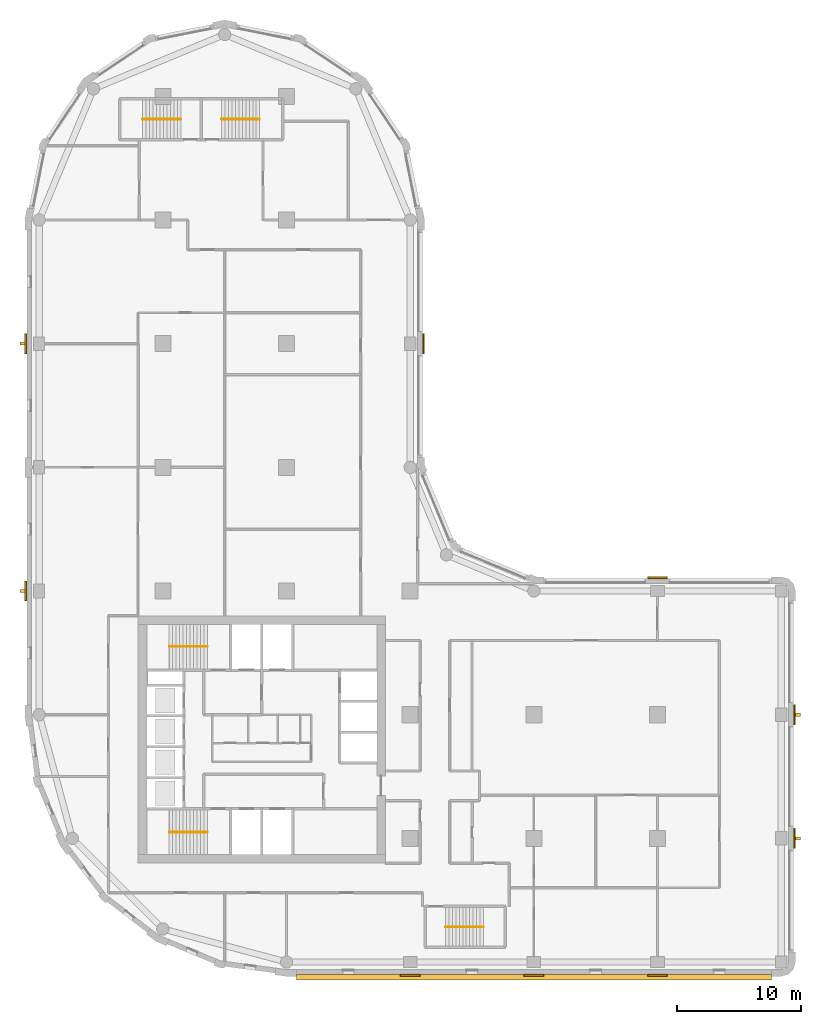
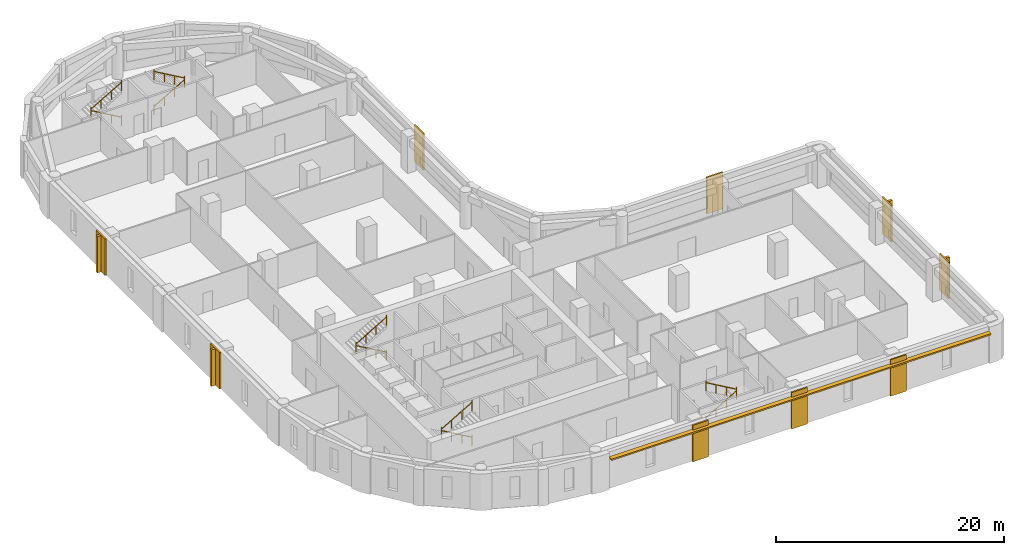
# One storey, part 9 of 10: 10 railings, 9 coverings, 5 shading devices.
"""IFC4 building model written with IfcOpenShell, lengths in metres."""

from ifc_helpers import new_model, si_unit, direction, frame, origin, origin_2d, place, context, subcontext, project, spatial, polyline, rectangle, circle, outline, extrude, material, layer, layer_set, type_object, element, save


model = new_model("IFC4")

# Units and contexts
model_context = context("Model", 3, precision=1e-05, world=origin(), true_north=direction((0.0, 1.0)))
body_context = subcontext(model_context, "Body", "Model", "MODEL_VIEW")
ifc_project = project(units=[si_unit("LENGTHUNIT", "METRE"), si_unit("AREAUNIT", "SQUARE_METRE"), si_unit("VOLUMEUNIT", "CUBIC_METRE"), si_unit("PLANEANGLEUNIT", "RADIAN"), si_unit("MASSUNIT", "GRAM", prefix="KILO")], contexts=[model_context])

# Site, building, storey
site_placement = place(None, origin())
site = spatial("IfcSite", under=ifc_project, at=site_placement, CompositionType="ELEMENT")
building_placement = place(site_placement, origin())
building = spatial("IfcBuilding", under=site, at=building_placement, Name="Qaws Garden Tower", CompositionType="ELEMENT")
storey_placement = place(building_placement, frame((0.0, 0.0, 209.699951171875)))
storey = spatial("IfcBuildingStorey", under=building, at=storey_placement, Name="L51", CompositionType="ELEMENT", Elevation=209.699951171875)

# Coverings
ifc_material_1 = material(Name="Clay facing brick masonry", Category="masonry")
ifc_layer_1 = layer(ifc_material_1, 0.14990234375)
ifc_layer_set_1 = layer_set([ifc_layer_1], Name="Clay facing brick masonry")
covering_type = type_object("IfcCoveringType", Name="Brick pilaster facing 150 x 1600", PredefinedType="CLADDING", material=ifc_layer_set_1)
placement = place(storey_placement, origin())
element("IfcCovering", 1, at=placement, inside=storey, type_object=covering_type, Name="E-L51-pier-01", PredefinedType="CLADDING", context=body_context, shape_type="SweptSolid", body=[
    extrude(outline(polyline([(29.199951171875, -1.0), (30.800048828125, -1.0), (30.800048828125, -1.14990234375), (29.199951171875, -1.14990234375), (29.199951171875, -1.0)])), origin(), (0.0, 0.0, 1.0), 3.900146484375),
])
element("IfcCovering", 2, at=placement, inside=storey, type_object=covering_type, Name="E-L51-pier-02", PredefinedType="CLADDING", context=body_context, shape_type="SweptSolid", body=[
    extrude(outline(polyline([(39.199951171875, -1.0), (40.800048828125, -1.0), (40.800048828125, -1.14990234375), (39.199951171875, -1.14990234375), (39.199951171875, -1.0)])), origin(), (0.0, 0.0, 1.0), 3.900146484375),
])
element("IfcCovering", 3, at=placement, inside=storey, type_object=covering_type, Name="E-L51-pier-03", PredefinedType="CLADDING", context=body_context, shape_type="SweptSolid", body=[
    extrude(outline(polyline([(49.199951171875, -1.0), (50.800048828125, -1.0), (50.800048828125, -1.14990234375), (49.199951171875, -1.14990234375), (49.199951171875, -1.0)])), origin(), (0.0, 0.0, 1.0), 3.900146484375),
])
element("IfcCovering", 4, at=placement, inside=storey, type_object=covering_type, Name="E-L51-pier-05", PredefinedType="CLADDING", context=body_context, shape_type="SweptSolid", body=[
    extrude(outline(polyline([(61.0, 9.199951171875), (61.0, 10.800048828125), (61.14990234375, 10.800048828125), (61.14990234375, 9.199951171875), (61.0, 9.199951171875)])), origin(), (0.0, 0.0, 1.0), 3.900146484375),
])
element("IfcCovering", 5, at=placement, inside=storey, type_object=covering_type, Name="E-L51-pier-06", PredefinedType="CLADDING", context=body_context, shape_type="SweptSolid", body=[
    extrude(outline(polyline([(61.0, 19.199951171875), (61.0, 20.800048828125), (61.14990234375, 20.800048828125), (61.14990234375, 19.199951171875), (61.0, 19.199951171875)])), origin(), (0.0, 0.0, 1.0), 3.900146484375),
])
element("IfcCovering", 6, at=placement, inside=storey, type_object=covering_type, Name="E-L51-pier-08", PredefinedType="CLADDING", context=body_context, shape_type="SweptSolid", body=[
    extrude(outline(polyline([(50.800048828125, 31.0), (49.199951171875, 31.0), (49.199951171875, 31.14990234375), (50.800048828125, 31.14990234375), (50.800048828125, 31.0)])), origin(), (0.0, 0.0, 1.0), 3.900146484375),
])
element("IfcCovering", 7, at=placement, inside=storey, type_object=covering_type, Name="E-L51-pier-12", PredefinedType="CLADDING", context=body_context, shape_type="SweptSolid", body=[
    extrude(outline(polyline([(31.0, 49.199951171875), (31.0, 50.800048828125), (31.14990234375, 50.800048828125), (31.14990234375, 49.199951171875), (31.0, 49.199951171875)])), origin(), (0.0, 0.0, 1.0), 3.900146484375),
])
element("IfcCovering", 8, at=placement, inside=storey, type_object=covering_type, Name="E-L51-pier-22", PredefinedType="CLADDING", context=body_context, shape_type="SweptSolid", body=[
    extrude(outline(polyline([(-1.0, 50.800048828125), (-1.0, 49.199951171875), (-1.14990234375, 49.199951171875), (-1.14990234375, 50.800048828125), (-1.0, 50.800048828125)])), origin(), (0.0, 0.0, 1.0), 3.900146484375),
])
element("IfcCovering", 9, at=placement, inside=storey, type_object=covering_type, Name="E-L51-pier-24", PredefinedType="CLADDING", context=body_context, shape_type="SweptSolid", body=[
    extrude(outline(polyline([(-1.0, 30.800048828125), (-1.0, 29.199951171875), (-1.14990234375, 29.199951171875), (-1.14990234375, 30.800048828125), (-1.0, 30.800048828125)])), origin(), (0.0, 0.0, 1.0), 3.900146484375),
])

# Shading devices
ifc_material_2 = material(Name="Clay facing brick masonry", Category="masonry")
ifc_layer_2 = layer(ifc_material_2, 0.14990234375)
ifc_layer_set_2 = layer_set([ifc_layer_2], Name="Clay facing brick masonry")
shading_device_type_1 = type_object("IfcShadingDeviceType", Name="Brick sunshade band 450 x 150", PredefinedType="JALOUSIE", material=ifc_layer_set_2)
shading_device_placement = place(storey_placement, frame((0.0, 0.0, 3.25)))
element("IfcShadingDevice", 10, at=shading_device_placement, inside=storey, type_object=shading_device_type_1, Name="SUNSHADE 00", PredefinedType="JALOUSIE", context=body_context, shape_type="SweptSolid", body=[
    extrude(outline(polyline([(20.800048828125, -1.0), (20.800048828125, -1.449951171875), (59.199951171875, -1.449951171875), (59.199951171875, -1.0), (50.800048828125, -1.0), (50.800048828125, -1.14990234375), (49.199951171875, -1.14990234375), (49.199951171875, -1.0), (40.800048828125, -1.0), (40.800048828125, -1.14990234375), (39.199951171875, -1.14990234375), (39.199951171875, -1.0), (30.800048828125, -1.0), (30.800048828125, -1.14990234375), (29.199951171875, -1.14990234375), (29.199951171875, -1.0), (20.800048828125, -1.0)])), origin(), (0.0, 0.0, 1.0), 0.150146484375),
])
ifc_material_3 = material(Name="Clay facing brick masonry", Category="masonry")
ifc_layer_3 = layer(ifc_material_3, 0.25)
ifc_layer_set_3 = layer_set([ifc_layer_3], Name="Clay facing brick masonry")
shading_device_type_2 = type_object("IfcShadingDeviceType", Name="Brick-faced fin 250 x 400", PredefinedType="USERDEFINED", material=ifc_layer_set_3)
for number, where, z_axis, x_axis, name in (
    (11, (61.35009765625, 10.0, 0.0), (0.0, 0.0, 1.0), (0.0, 1.0, 0.0), "FIN 05"),
    (12, (61.35009765625, 20.0, 0.0), (0.0, 0.0, 1.0), (0.0, 1.0, 0.0), "FIN 06"),
    (13, (-1.35009765625, 50.0, 0.0), (0.0, 0.0, 1.0), (0.0, -1.0, 0.0), "FIN 22"),
    (14, (-1.35009765625, 30.0, 0.0), (0.0, 0.0, 1.0), (0.0, -1.0, 0.0), "FIN 24"),
):
    element("IfcShadingDevice", number, at=place(storey_placement, frame(where, z_axis=z_axis, x_axis=x_axis)), inside=storey, type_object=shading_device_type_2, Name=name, ObjectType="FIN", PredefinedType="USERDEFINED", context=body_context, shape_type="SweptSolid", body=[
        extrude(rectangle(XDim=0.25, YDim=0.39990234375, at=origin_2d()), origin(), (0.0, 0.0, 1.0), 3.89990234375),
    ])

# Railings
ifc_material_4 = material(Name="Steel S355", Category="steel")
railing_type = type_object("IfcRailingType", Name="Stair handrail 900", PredefinedType="HANDRAIL", material=ifc_material_4)
railing_1_placement = place(storey_placement, frame((13.60009765625, 10.5, 0.16259765625)))
element("IfcRailing", 15, at=railing_1_placement, inside=storey, type_object=railing_type, Name="Stair 1 handrail", PredefinedType="HANDRAIL", context=body_context, shape_type="SweptSolid", body=[
    extrude(circle(Radius=0.02392578125, at=origin_2d()), frame((0.0, 0.0, 0.8759765625), z_axis=(-0.864920483161, 0.0, 0.501908913857), x_axis=(0.0, -1.0, 0.0)), (0.0, 0.0, 1.0), 3.56103515625),
    extrude(circle(Radius=0.02099609375, at=origin_2d()), origin(), (0.0, 0.0, 1.0), 1.06201171875),
    extrude(circle(Radius=0.02099609375, at=origin_2d()), frame((-1.026611328125, 0.0, 0.595703125)), (0.0, 0.0, 1.0), 0.851806640625),
    extrude(circle(Radius=0.02099609375, at=origin_2d()), frame((-2.053466796875, 0.0, 1.191650390625)), (0.0, 0.0, 1.0), 0.851806640625),
    extrude(circle(Radius=0.02099609375, at=origin_2d()), frame((-3.080078125, 0.0, 1.787353515625)), (0.0, 0.0, 1.0), 1.06201171875),
])
railing_2_placement = place(storey_placement, frame((10.52001953125, 10.5, 2.112548828125)))
element("IfcRailing", 16, at=railing_2_placement, inside=storey, type_object=railing_type, Name="Stair 1 handrail", PredefinedType="HANDRAIL", context=body_context, shape_type="SweptSolid", body=[
    extrude(circle(Radius=0.02392578125, at=origin_2d()), frame((0.0, 0.0, 0.8759765625), z_axis=(0.864890721111, 0.0, 0.501960198159), x_axis=(0.0, 1.0, 0.0)), (0.0, 0.0, 1.0), 3.561279296875),
    extrude(circle(Radius=0.02099609375, at=origin_2d()), origin(), (0.0, 0.0, 1.0), 1.06201171875),
    extrude(circle(Radius=0.02099609375, at=origin_2d()), frame((1.026611328125, 0.0, 0.595947265625)), (0.0, 0.0, 1.0), 0.851806640625),
    extrude(circle(Radius=0.02099609375, at=origin_2d()), frame((2.053466796875, 0.0, 1.191650390625)), (0.0, 0.0, 1.0), 0.851806640625),
    extrude(circle(Radius=0.02099609375, at=origin_2d()), frame((3.080078125, 0.0, 1.78759765625)), (0.0, 0.0, 1.0), 1.06201171875),
])
railing_3_placement = place(storey_placement, frame((13.60009765625, 25.5, 0.16259765625)))
element("IfcRailing", 17, at=railing_3_placement, inside=storey, type_object=railing_type, Name="Stair 4 handrail", PredefinedType="HANDRAIL", context=body_context, shape_type="SweptSolid", body=[
    extrude(circle(Radius=0.02392578125, at=origin_2d()), frame((0.0, 0.0, 0.8759765625), z_axis=(-0.864920483161, 0.0, 0.501908913857), x_axis=(0.0, -1.0, 0.0)), (0.0, 0.0, 1.0), 3.56103515625),
    extrude(circle(Radius=0.02099609375, at=origin_2d()), origin(), (0.0, 0.0, 1.0), 1.06201171875),
    extrude(circle(Radius=0.02099609375, at=origin_2d()), frame((-1.026611328125, 0.0, 0.595703125)), (0.0, 0.0, 1.0), 0.851806640625),
    extrude(circle(Radius=0.02099609375, at=origin_2d()), frame((-2.053466796875, 0.0, 1.191650390625)), (0.0, 0.0, 1.0), 0.851806640625),
    extrude(circle(Radius=0.02099609375, at=origin_2d()), frame((-3.080078125, 0.0, 1.787353515625)), (0.0, 0.0, 1.0), 1.06201171875),
])
railing_4_placement = place(storey_placement, frame((10.52001953125, 25.5, 2.112548828125)))
element("IfcRailing", 18, at=railing_4_placement, inside=storey, type_object=railing_type, Name="Stair 4 handrail", PredefinedType="HANDRAIL", context=body_context, shape_type="SweptSolid", body=[
    extrude(circle(Radius=0.02392578125, at=origin_2d()), frame((0.0, 0.0, 0.8759765625), z_axis=(0.864890721111, 0.0, 0.501960198159), x_axis=(0.0, 1.0, 0.0)), (0.0, 0.0, 1.0), 3.561279296875),
    extrude(circle(Radius=0.02099609375, at=origin_2d()), origin(), (0.0, 0.0, 1.0), 1.06201171875),
    extrude(circle(Radius=0.02099609375, at=origin_2d()), frame((1.026611328125, 0.0, 0.595947265625)), (0.0, 0.0, 1.0), 0.851806640625),
    extrude(circle(Radius=0.02099609375, at=origin_2d()), frame((2.053466796875, 0.0, 1.191650390625)), (0.0, 0.0, 1.0), 0.851806640625),
    extrude(circle(Radius=0.02099609375, at=origin_2d()), frame((3.080078125, 0.0, 1.78759765625)), (0.0, 0.0, 1.0), 1.06201171875),
])
railing_5_placement = place(storey_placement, frame((32.85009765625, 2.85009765625, 0.16259765625)))
element("IfcRailing", 19, at=railing_5_placement, inside=storey, type_object=railing_type, Name="Stair 5 handrail", PredefinedType="HANDRAIL", context=body_context, shape_type="SweptSolid", body=[
    extrude(circle(Radius=0.02392578125, at=origin_2d()), frame((0.0, 0.0, 0.8759765625), z_axis=(0.864903211148, 0.0, 0.501938676878), x_axis=(0.0, 1.0, 0.0)), (0.0, 0.0, 1.0), 3.560791015625),
    extrude(circle(Radius=0.02099609375, at=origin_2d()), origin(), (0.0, 0.0, 1.0), 1.06201171875),
    extrude(circle(Radius=0.02099609375, at=origin_2d()), frame((1.026611328125, 0.0, 0.595703125)), (0.0, 0.0, 1.0), 0.851806640625),
    extrude(circle(Radius=0.02099609375, at=origin_2d()), frame((2.05322265625, 0.0, 1.191650390625)), (0.0, 0.0, 1.0), 0.851806640625),
    extrude(circle(Radius=0.02099609375, at=origin_2d()), frame((3.079833984375, 0.0, 1.787353515625)), (0.0, 0.0, 1.0), 1.06201171875),
])
railing_6_placement = place(storey_placement, frame((35.929931640625, 2.85009765625, 2.112548828125)))
element("IfcRailing", 20, at=railing_6_placement, inside=storey, type_object=railing_type, Name="Stair 5 handrail", PredefinedType="HANDRAIL", context=body_context, shape_type="SweptSolid", body=[
    extrude(circle(Radius=0.02392578125, at=origin_2d()), frame((0.0, 0.0, 0.8759765625), z_axis=(-0.864873446163, 0.0, 0.501989962173), x_axis=(0.0, -1.0, 0.0)), (0.0, 0.0, 1.0), 3.56103515625),
    extrude(circle(Radius=0.02099609375, at=origin_2d()), origin(), (0.0, 0.0, 1.0), 1.06201171875),
    extrude(circle(Radius=0.02099609375, at=origin_2d()), frame((-1.026611328125, 0.0, 0.595947265625)), (0.0, 0.0, 1.0), 0.851806640625),
    extrude(circle(Radius=0.02099609375, at=origin_2d()), frame((-2.05322265625, 0.0, 1.191650390625)), (0.0, 0.0, 1.0), 0.851806640625),
    extrude(circle(Radius=0.02099609375, at=origin_2d()), frame((-3.079833984375, 0.0, 1.78759765625)), (0.0, 0.0, 1.0), 1.06201171875),
])
railing_7_placement = place(storey_placement, frame((11.449951171875, 68.14990234375, 0.16259765625)))
element("IfcRailing", 21, at=railing_7_placement, inside=storey, type_object=railing_type, Name="Stair 6 handrail", PredefinedType="HANDRAIL", context=body_context, shape_type="SweptSolid", body=[
    extrude(circle(Radius=0.02392578125, at=origin_2d()), frame((0.0, 0.0, 0.8759765625), z_axis=(-0.864903211148, 0.0, 0.501938676878), x_axis=(0.0, -1.0, 0.0)), (0.0, 0.0, 1.0), 3.560791015625),
    extrude(circle(Radius=0.02099609375, at=origin_2d()), origin(), (0.0, 0.0, 1.0), 1.06201171875),
    extrude(circle(Radius=0.02099609375, at=origin_2d()), frame((-1.026611328125, 0.0, 0.595703125)), (0.0, 0.0, 1.0), 0.851806640625),
    extrude(circle(Radius=0.02099609375, at=origin_2d()), frame((-2.05322265625, 0.0, 1.191650390625)), (0.0, 0.0, 1.0), 0.851806640625),
    extrude(circle(Radius=0.02099609375, at=origin_2d()), frame((-3.079833984375, 0.0, 1.787353515625)), (0.0, 0.0, 1.0), 1.06201171875),
])
railing_8_placement = place(storey_placement, frame((8.3701171875, 68.14990234375, 2.112548828125)))
element("IfcRailing", 22, at=railing_8_placement, inside=storey, type_object=railing_type, Name="Stair 6 handrail", PredefinedType="HANDRAIL", context=body_context, shape_type="SweptSolid", body=[
    extrude(circle(Radius=0.02392578125, at=origin_2d()), frame((0.0, 0.0, 0.8759765625), z_axis=(0.864873446163, 0.0, 0.501989962173), x_axis=(0.0, 1.0, 0.0)), (0.0, 0.0, 1.0), 3.56103515625),
    extrude(circle(Radius=0.02099609375, at=origin_2d()), origin(), (0.0, 0.0, 1.0), 1.06201171875),
    extrude(circle(Radius=0.02099609375, at=origin_2d()), frame((1.026611328125, 0.0, 0.595947265625)), (0.0, 0.0, 1.0), 0.851806640625),
    extrude(circle(Radius=0.02099609375, at=origin_2d()), frame((2.05322265625, 0.0, 1.191650390625)), (0.0, 0.0, 1.0), 0.851806640625),
    extrude(circle(Radius=0.02099609375, at=origin_2d()), frame((3.079833984375, 0.0, 1.78759765625)), (0.0, 0.0, 1.0), 1.06201171875),
])
railing_9_placement = place(storey_placement, frame((14.75, 68.14990234375, 0.16259765625)))
element("IfcRailing", 23, at=railing_9_placement, inside=storey, type_object=railing_type, Name="Stair 7 handrail", PredefinedType="HANDRAIL", context=body_context, shape_type="SweptSolid", body=[
    extrude(circle(Radius=0.02392578125, at=origin_2d()), frame((0.0, 0.0, 0.8759765625), z_axis=(0.864920483161, 0.0, 0.501908913857), x_axis=(0.0, 1.0, 0.0)), (0.0, 0.0, 1.0), 3.56103515625),
    extrude(circle(Radius=0.02099609375, at=origin_2d()), origin(), (0.0, 0.0, 1.0), 1.06201171875),
    extrude(circle(Radius=0.02099609375, at=origin_2d()), frame((1.026611328125, 0.0, 0.595703125)), (0.0, 0.0, 1.0), 0.851806640625),
    extrude(circle(Radius=0.02099609375, at=origin_2d()), frame((2.053466796875, 0.0, 1.191650390625)), (0.0, 0.0, 1.0), 0.851806640625),
    extrude(circle(Radius=0.02099609375, at=origin_2d()), frame((3.080078125, 0.0, 1.787353515625)), (0.0, 0.0, 1.0), 1.06201171875),
])
railing_10_placement = place(storey_placement, frame((17.830078125, 68.14990234375, 2.112548828125)))
element("IfcRailing", 24, at=railing_10_placement, inside=storey, type_object=railing_type, Name="Stair 7 handrail", PredefinedType="HANDRAIL", context=body_context, shape_type="SweptSolid", body=[
    extrude(circle(Radius=0.02392578125, at=origin_2d()), frame((0.0, 0.0, 0.8759765625), z_axis=(-0.864890721111, 0.0, 0.501960198159), x_axis=(0.0, -1.0, 0.0)), (0.0, 0.0, 1.0), 3.561279296875),
    extrude(circle(Radius=0.02099609375, at=origin_2d()), origin(), (0.0, 0.0, 1.0), 1.06201171875),
    extrude(circle(Radius=0.02099609375, at=origin_2d()), frame((-1.026611328125, 0.0, 0.595947265625)), (0.0, 0.0, 1.0), 0.851806640625),
    extrude(circle(Radius=0.02099609375, at=origin_2d()), frame((-2.053466796875, 0.0, 1.191650390625)), (0.0, 0.0, 1.0), 0.851806640625),
    extrude(circle(Radius=0.02099609375, at=origin_2d()), frame((-3.080078125, 0.0, 1.78759765625)), (0.0, 0.0, 1.0), 1.06201171875),
])

save(model, "model.ifc")
